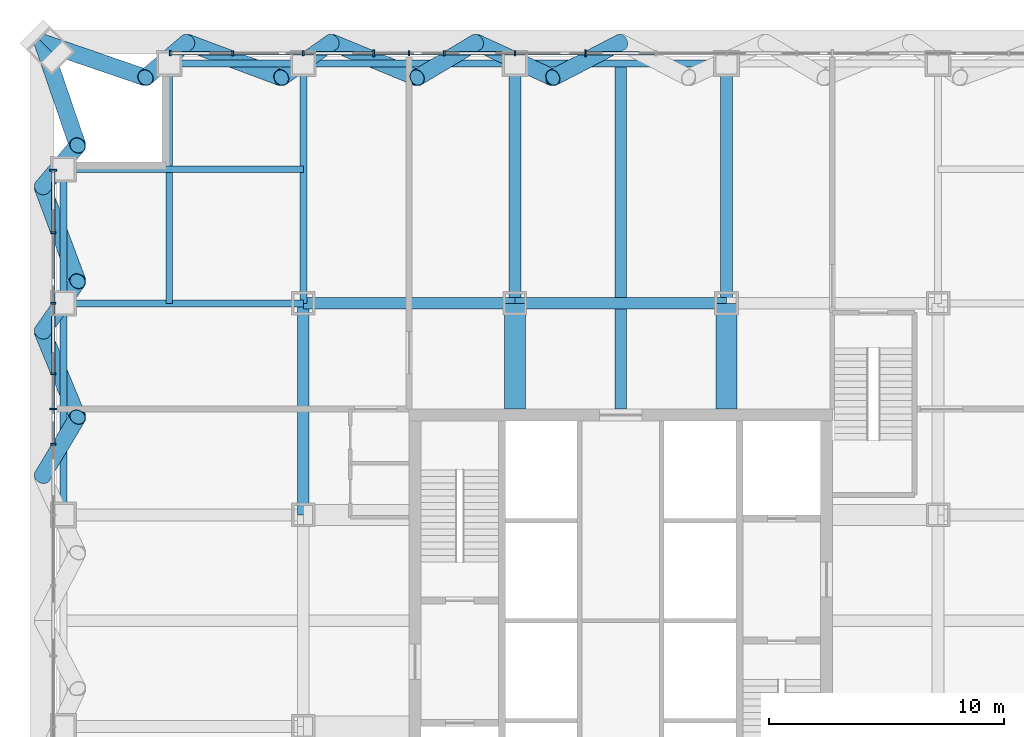
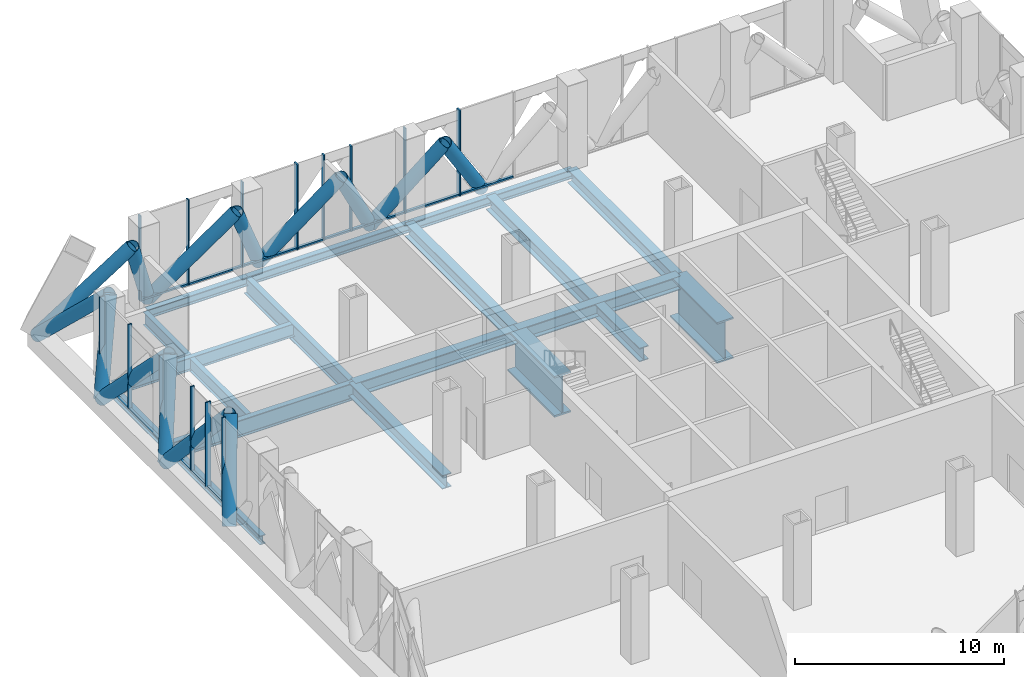
# One storey, part 10 of 29: 41 members, 17 beams, 2 elements without a shape of their own.
"""IFC4 building model written with IfcOpenShell, lengths in metres."""

from ifc_helpers import new_model, si_unit, direction, frame, origin, origin_2d, place, context, subcontext, project, spatial, rectangle, hollow_circle, i_section, extrude, material, layer, layer_set, material_profile, profile_set, type_object, element, aggregate, save


model = new_model("IFC4")

# Units and contexts
model_context = context("Model", 3, precision=1e-05, world=origin(), true_north=direction((0.0, 1.0)))
body_context = subcontext(model_context, "Body", "Model", "MODEL_VIEW")
ifc_project = project(units=[si_unit("LENGTHUNIT", "METRE"), si_unit("AREAUNIT", "SQUARE_METRE"), si_unit("VOLUMEUNIT", "CUBIC_METRE"), si_unit("PLANEANGLEUNIT", "RADIAN"), si_unit("MASSUNIT", "GRAM", prefix="KILO")], contexts=[model_context])

# Site, building, storey
site_placement = place(None, origin())
site = spatial("IfcSite", under=ifc_project, at=site_placement, CompositionType="ELEMENT")
building_placement = place(site_placement, origin())
building = spatial("IfcBuilding", under=site, at=building_placement, Name="Malebo Sky Hospital", CompositionType="ELEMENT")
storey_placement = place(building_placement, frame((0.0, 0.0, 172.0)))
storey = spatial("IfcBuildingStorey", under=building, at=storey_placement, Name="L41", CompositionType="ELEMENT", Elevation=172.0)

# Curtain wall, members
ifc_material_1 = material(Name="Anodised aluminium, natural silver", Category="aluminium")
ifc_layer = layer(ifc_material_1, 0.25)
ifc_layer_set = layer_set([ifc_layer], Name="PLANT LOUVRE SCREEN")
curtain_wall_type = type_object("IfcCurtainWallType", Name="PLANT LOUVRE SCREEN", PredefinedType="NOTDEFINED", material=ifc_layer_set)
curtain_wall_1_placement = place(storey_placement, origin())
curtain_wall_1 = element("IfcCurtainWall", 1, at=curtain_wall_1_placement, inside=storey, type_object=curtain_wall_type, Name="PLANT curtain wall N", PredefinedType="NOTDEFINED")
ifc_material_profile_1 = material_profile(ifc_material_1, rectangle(XDim=0.14990234375, YDim=0.10009765625, at=origin_2d()), Name="ALUMINIUM TRANSOM 150x100")
ifc_profile_set_1 = profile_set([ifc_material_profile_1], Name="Anodised aluminium, natural silver")
member_type_1 = type_object("IfcMemberType", Name="ALUMINIUM TRANSOM 150x100", PredefinedType="USERDEFINED", material=ifc_profile_set_1)
member_1_placement = place(storey_placement, frame((40.875, 86.135009765625, 0.050048828125), z_axis=(1.0, 0.0, 0.0), x_axis=(0.0, 1.0, 0.0)))
member_1 = element("IfcMember", 2, at=member_1_placement, type_object=member_type_1, Name="Transom 1", ObjectType="TRANSOM", PredefinedType="USERDEFINED", context=body_context, shape_type="SweptSolid", body=[
    extrude(rectangle(XDim=0.14990234375, YDim=0.10009765625, at=origin_2d()), origin(), (0.0, 0.0, 1.0), 2.58740234375),
])
member_2_placement = place(storey_placement, frame((43.53759765625, 86.135009765625, 0.050048828125), z_axis=(1.0, 0.0, 0.0), x_axis=(0.0, 1.0, 0.0)))
member_2 = element("IfcMember", 3, at=member_2_placement, type_object=member_type_1, Name="Transom 2", ObjectType="TRANSOM", PredefinedType="USERDEFINED", context=body_context, shape_type="SweptSolid", body=[
    extrude(rectangle(XDim=0.14990234375, YDim=0.10009765625, at=origin_2d()), origin(), (0.0, 0.0, 1.0), 2.9248046875),
])
member_3_placement = place(storey_placement, frame((46.53759765625, 86.135009765625, 0.050048828125), z_axis=(1.0, 0.0, 0.0), x_axis=(0.0, 1.0, 0.0)))
member_3 = element("IfcMember", 4, at=member_3_placement, type_object=member_type_1, Name="Transom 3", ObjectType="TRANSOM", PredefinedType="USERDEFINED", context=body_context, shape_type="SweptSolid", body=[
    extrude(rectangle(XDim=0.14990234375, YDim=0.10009765625, at=origin_2d()), origin(), (0.0, 0.0, 1.0), 2.9248046875),
])
member_4_placement = place(storey_placement, frame((49.53759765625, 86.135009765625, 0.050048828125), z_axis=(1.0, 0.0, 0.0), x_axis=(0.0, 1.0, 0.0)))
member_4 = element("IfcMember", 5, at=member_4_placement, type_object=member_type_1, Name="Transom 4", ObjectType="TRANSOM", PredefinedType="USERDEFINED", context=body_context, shape_type="SweptSolid", body=[
    extrude(rectangle(XDim=0.14990234375, YDim=0.10009765625, at=origin_2d()), origin(), (0.0, 0.0, 1.0), 1.4248046875),
])
member_5_placement = place(storey_placement, frame((51.03759765625, 86.135009765625, 0.050048828125), z_axis=(1.0, 0.0, 0.0), x_axis=(0.0, 1.0, 0.0)))
member_5 = element("IfcMember", 6, at=member_5_placement, type_object=member_type_1, Name="Transom 5", ObjectType="TRANSOM", PredefinedType="USERDEFINED", context=body_context, shape_type="SweptSolid", body=[
    extrude(rectangle(XDim=0.14990234375, YDim=0.10009765625, at=origin_2d()), origin(), (0.0, 0.0, 1.0), 1.4248046875),
])
member_6_placement = place(storey_placement, frame((52.53759765625, 86.135009765625, 0.050048828125), z_axis=(1.0, 0.0, 0.0), x_axis=(0.0, 1.0, 0.0)))
member_6 = element("IfcMember", 7, at=member_6_placement, type_object=member_type_1, Name="Transom 6", ObjectType="TRANSOM", PredefinedType="USERDEFINED", context=body_context, shape_type="SweptSolid", body=[
    extrude(rectangle(XDim=0.14990234375, YDim=0.10009765625, at=origin_2d()), origin(), (0.0, 0.0, 1.0), 2.9248046875),
])
member_7_placement = place(storey_placement, frame((55.53759765625, 86.135009765625, 0.050048828125), z_axis=(1.0, 0.0, 0.0), x_axis=(0.0, 1.0, 0.0)))
member_7 = element("IfcMember", 8, at=member_7_placement, type_object=member_type_1, Name="Transom 7", ObjectType="TRANSOM", PredefinedType="USERDEFINED", context=body_context, shape_type="SweptSolid", body=[
    extrude(rectangle(XDim=0.14990234375, YDim=0.10009765625, at=origin_2d()), origin(), (0.0, 0.0, 1.0), 2.9248046875),
])
member_8_placement = place(storey_placement, frame((58.53759765625, 86.135009765625, 0.050048828125), z_axis=(1.0, 0.0, 0.0), x_axis=(0.0, 1.0, 0.0)))
member_8 = element("IfcMember", 9, at=member_8_placement, type_object=member_type_1, Name="Transom 8", ObjectType="TRANSOM", PredefinedType="USERDEFINED", context=body_context, shape_type="SweptSolid", body=[
    extrude(rectangle(XDim=0.14990234375, YDim=0.10009765625, at=origin_2d()), origin(), (0.0, 0.0, 1.0), 2.9248046875),
])

curtain_wall_2_placement = place(storey_placement, origin())
curtain_wall_2 = element("IfcCurtainWall", 10, at=curtain_wall_2_placement, inside=storey, type_object=curtain_wall_type, Name="PLANT curtain wall W", PredefinedType="NOTDEFINED")
member_9_placement = place(storey_placement, frame((35.864990234375, 69.53759765625, 0.050048828125), z_axis=(0.0, 1.0, 0.0), x_axis=(-1.0, 0.0, 0.0)))
member_9 = element("IfcMember", 11, at=member_9_placement, type_object=member_type_1, Name="Transom 11", ObjectType="TRANSOM", PredefinedType="USERDEFINED", context=body_context, shape_type="SweptSolid", body=[
    extrude(rectangle(XDim=0.14990234375, YDim=0.10009765625, at=origin_2d()), origin(), (0.0, 0.0, 1.0), 1.4248046875),
])
member_10_placement = place(storey_placement, frame((35.864990234375, 71.03759765625, 0.050048828125), z_axis=(0.0, 1.0, 0.0), x_axis=(-1.0, 0.0, 0.0)))
member_10 = element("IfcMember", 12, at=member_10_placement, type_object=member_type_1, Name="Transom 12", ObjectType="TRANSOM", PredefinedType="USERDEFINED", context=body_context, shape_type="SweptSolid", body=[
    extrude(rectangle(XDim=0.14990234375, YDim=0.10009765625, at=origin_2d()), origin(), (0.0, 0.0, 1.0), 1.4248046875),
])
member_11_placement = place(storey_placement, frame((35.864990234375, 72.53759765625, 0.050048828125), z_axis=(0.0, 1.0, 0.0), x_axis=(-1.0, 0.0, 0.0)))
member_11 = element("IfcMember", 13, at=member_11_placement, type_object=member_type_1, Name="Transom 13", ObjectType="TRANSOM", PredefinedType="USERDEFINED", context=body_context, shape_type="SweptSolid", body=[
    extrude(rectangle(XDim=0.14990234375, YDim=0.10009765625, at=origin_2d()), origin(), (0.0, 0.0, 1.0), 2.9248046875),
])
member_12_placement = place(storey_placement, frame((35.864990234375, 75.53759765625, 0.050048828125), z_axis=(0.0, 1.0, 0.0), x_axis=(-1.0, 0.0, 0.0)))
member_12 = element("IfcMember", 14, at=member_12_placement, type_object=member_type_1, Name="Transom 14", ObjectType="TRANSOM", PredefinedType="USERDEFINED", context=body_context, shape_type="SweptSolid", body=[
    extrude(rectangle(XDim=0.14990234375, YDim=0.10009765625, at=origin_2d()), origin(), (0.0, 0.0, 1.0), 2.9248046875),
])
member_13_placement = place(storey_placement, frame((35.864990234375, 78.53759765625, 0.050048828125), z_axis=(0.0, 1.0, 0.0), x_axis=(-1.0, 0.0, 0.0)))
member_13 = element("IfcMember", 15, at=member_13_placement, type_object=member_type_1, Name="Transom 15", ObjectType="TRANSOM", PredefinedType="USERDEFINED", context=body_context, shape_type="SweptSolid", body=[
    extrude(rectangle(XDim=0.14990234375, YDim=0.10009765625, at=origin_2d()), origin(), (0.0, 0.0, 1.0), 2.58740234375),
])

# Members
ifc_material_2 = material(Name="Steel S460", Category="steel")
ifc_material_profile_2 = material_profile(ifc_material_2, hollow_circle(Radius=0.35546875, WallThickness=0.02490234375, at=origin_2d()), Name="CHS 711x25")
ifc_profile_set_2 = profile_set([ifc_material_profile_2], Name="Steel S460")
member_type_2 = type_object("IfcMemberType", Name="BELT TRUSS DIAGONAL CHS 711x25", PredefinedType="BRACE", material=ifc_profile_set_2)
member_14_placement = place(storey_placement, frame((60.0, 86.60009765625, -0.39990234375), z_axis=(-0.516208408429, -0.268164746883, 0.813398148262), x_axis=(0.460995967099, -0.887402230287, 0.0)))
element("IfcMember", 16, at=member_14_placement, inside=storey, type_object=member_type_2, Name="Belt truss diagonal N5.1 L41", PredefinedType="BRACE", context=body_context, shape_type="SweptSolid", body=[
    extrude(hollow_circle(Radius=0.35546875, WallThickness=0.02490234375, at=origin_2d()), origin(), (0.0, 0.0, 1.0), 5.593505859375),
])
member_15_placement = place(storey_placement, frame((57.112548828125, 85.10009765625, 4.14990234375), z_axis=(-0.562873957341, 0.258796497336, -0.78498234446), x_axis=(-0.417738372703, -0.908567362374, 0.0)))
element("IfcMember", 17, at=member_15_placement, inside=storey, type_object=member_type_2, Name="Belt truss diagonal N5.2 L41", PredefinedType="BRACE", context=body_context, shape_type="SweptSolid", body=[
    extrude(hollow_circle(Radius=0.35546875, WallThickness=0.02490234375, at=origin_2d()), origin(), (0.0, 0.0, 1.0), 5.796142578125),
])
member_16_placement = place(storey_placement, frame((53.85009765625, 86.60009765625, -0.39990234375), z_axis=(-0.464483521417, -0.277282039991, 0.841052750207), x_axis=(0.512580541453, -0.858639149191, 0.0)))
element("IfcMember", 18, at=member_16_placement, inside=storey, type_object=member_type_2, Name="Belt truss diagonal N6.1 L41", PredefinedType="BRACE", context=body_context, shape_type="SweptSolid", body=[
    extrude(hollow_circle(Radius=0.35546875, WallThickness=0.02490234375, at=origin_2d()), origin(), (0.0, 0.0, 1.0), 5.40966796875),
])
member_17_placement = place(storey_placement, frame((51.33740234375, 85.10009765625, 4.14990234375), z_axis=(-0.604717094337, 0.249371221398, -0.756393568029), x_axis=(-0.381233483965, -0.924478788672, 0.0)))
element("IfcMember", 19, at=member_17_placement, inside=storey, type_object=member_type_2, Name="Belt truss diagonal N6.2 L41", PredefinedType="BRACE", context=body_context, shape_type="SweptSolid", body=[
    extrude(hollow_circle(Radius=0.35546875, WallThickness=0.02490234375, at=origin_2d()), origin(), (0.0, 0.0, 1.0), 6.01513671875),
])
member_18_placement = place(storey_placement, frame((47.699951171875, 86.60009765625, -0.39990234375), z_axis=(-0.407452101972, -0.285937831469, 0.867307523969), x_axis=(0.574434541353, -0.818550522387, 0.0)))
element("IfcMember", 20, at=member_18_placement, inside=storey, type_object=member_type_2, Name="Belt truss diagonal N7.1 L41", PredefinedType="BRACE", context=body_context, shape_type="SweptSolid", body=[
    extrude(hollow_circle(Radius=0.35546875, WallThickness=0.02490234375, at=origin_2d()), origin(), (0.0, 0.0, 1.0), 5.245849609375),
])
member_19_placement = place(storey_placement, frame((45.5625, 85.10009765625, 4.14990234375), z_axis=(-0.642090926271, 0.240036912139, -0.728080712017), x_axis=(-0.350167642828, -0.936687045878, 0.0)))
element("IfcMember", 21, at=member_19_placement, inside=storey, type_object=member_type_2, Name="Belt truss diagonal N7.2 L41", PredefinedType="BRACE", context=body_context, shape_type="SweptSolid", body=[
    extrude(hollow_circle(Radius=0.35546875, WallThickness=0.02490234375, at=origin_2d()), origin(), (0.0, 0.0, 1.0), 6.2490234375),
])
member_20_placement = place(storey_placement, frame((41.550048828125, 86.60009765625, -0.39990234375), z_axis=(-0.345267139836, -0.29385251519, 0.891314367362), x_axis=(0.648129042738, -0.761530527267, 0.0)))
element("IfcMember", 22, at=member_20_placement, inside=storey, type_object=member_type_2, Name="Belt truss diagonal N8.1 L41", PredefinedType="BRACE", context=body_context, shape_type="SweptSolid", body=[
    extrude(hollow_circle(Radius=0.35546875, WallThickness=0.02490234375, at=origin_2d()), origin(), (0.0, 0.0, 1.0), 5.1044921875),
])
for number, where, z_axis, x_axis, name in (
    (23, (39.78759765625, 85.10009765625, 4.14990234375), (-0.675409080109, 0.230898808602, -0.700362987809), (-0.323484250944, -0.946233554357, 0.0), "Belt truss diagonal N8.2 L41"),
    (24, (35.39990234375, 86.60009765625, -0.39990234375), (0.230898808602, -0.675409080109, 0.700362987809), (0.946233554357, 0.323484250944, 0.0), "Belt truss diagonal W1.1 L41"),
):
    element("IfcMember", number, at=place(storey_placement, frame(where, z_axis=z_axis, x_axis=x_axis)), inside=storey, type_object=member_type_2, Name=name, PredefinedType="BRACE", context=body_context, shape_type="SweptSolid", body=[
        extrude(hollow_circle(Radius=0.35546875, WallThickness=0.02490234375, at=origin_2d()), origin(), (0.0, 0.0, 1.0), 6.496337890625),
    ])
member_21_placement = place(storey_placement, frame((36.89990234375, 82.21240234375, 4.14990234375), z_axis=(-0.29385251519, -0.345267139836, -0.891314367362), x_axis=(0.761530527267, -0.648129042738, 0.0)))
element("IfcMember", 25, at=member_21_placement, inside=storey, type_object=member_type_2, Name="Belt truss diagonal W1.2 L41", PredefinedType="BRACE", context=body_context, shape_type="SweptSolid", body=[
    extrude(hollow_circle(Radius=0.35546875, WallThickness=0.02490234375, at=origin_2d()), origin(), (0.0, 0.0, 1.0), 5.1044921875),
])
member_22_placement = place(storey_placement, frame((35.39990234375, 80.449951171875, -0.39990234375), z_axis=(0.240036912139, -0.642090926271, 0.728080712017), x_axis=(0.936687045878, 0.350167642828, 0.0)))
element("IfcMember", 26, at=member_22_placement, inside=storey, type_object=member_type_2, Name="Belt truss diagonal W2.1 L41", PredefinedType="BRACE", context=body_context, shape_type="SweptSolid", body=[
    extrude(hollow_circle(Radius=0.35546875, WallThickness=0.02490234375, at=origin_2d()), origin(), (0.0, 0.0, 1.0), 6.2490234375),
])
member_23_placement = place(storey_placement, frame((36.89990234375, 76.4375, 4.14990234375), z_axis=(-0.285937831469, -0.407452101972, -0.867307523969), x_axis=(0.818550522387, -0.574434541353, 0.0)))
element("IfcMember", 27, at=member_23_placement, inside=storey, type_object=member_type_2, Name="Belt truss diagonal W2.2 L41", PredefinedType="BRACE", context=body_context, shape_type="SweptSolid", body=[
    extrude(hollow_circle(Radius=0.35546875, WallThickness=0.02490234375, at=origin_2d()), origin(), (0.0, 0.0, 1.0), 5.245849609375),
])
member_24_placement = place(storey_placement, frame((35.39990234375, 74.300048828125, -0.39990234375), z_axis=(0.249371221398, -0.604717094337, 0.756393568029), x_axis=(0.924478788672, 0.381233483965, 0.0)))
element("IfcMember", 28, at=member_24_placement, inside=storey, type_object=member_type_2, Name="Belt truss diagonal W3.1 L41", PredefinedType="BRACE", context=body_context, shape_type="SweptSolid", body=[
    extrude(hollow_circle(Radius=0.35546875, WallThickness=0.02490234375, at=origin_2d()), origin(), (0.0, 0.0, 1.0), 6.01513671875),
])
member_25_placement = place(storey_placement, frame((36.89990234375, 70.66259765625, 4.14990234375), z_axis=(-0.277282039991, -0.464483521417, -0.841052750207), x_axis=(0.858639149191, -0.512580541453, 0.0)))
element("IfcMember", 29, at=member_25_placement, inside=storey, type_object=member_type_2, Name="Belt truss diagonal W3.2 L41", PredefinedType="BRACE", context=body_context, shape_type="SweptSolid", body=[
    extrude(hollow_circle(Radius=0.35546875, WallThickness=0.02490234375, at=origin_2d()), origin(), (0.0, 0.0, 1.0), 5.40966796875),
])

# Member
ifc_material_profile_3 = material_profile(ifc_material_1, rectangle(XDim=0.074951171875, YDim=0.199951171875, at=origin_2d()), Name="CW5 ALUMINIUM FIN MULLION 75x200")
ifc_profile_set_3 = profile_set([ifc_material_profile_3], Name="Anodised aluminium, natural silver")
member_type_3 = type_object("IfcMemberType", Name="CW5 ALUMINIUM FIN MULLION 75x200", PredefinedType="MULLION", material=ifc_profile_set_3)
member_26_placement = place(storey_placement, frame((40.83740234375, 86.135009765625, 0.0), z_axis=(0.0, 0.0, 1.0), x_axis=(1.0, 0.0, 0.0)))
member_26 = element("IfcMember", 30, at=member_26_placement, type_object=member_type_3, Name="Fin mullion 1", PredefinedType="MULLION", context=body_context, shape_type="SweptSolid", body=[
    extrude(rectangle(XDim=0.074951171875, YDim=0.199951171875, at=origin_2d()), origin(), (0.0, 0.0, 1.0), 5.0),
])

member_27_placement = place(storey_placement, frame((43.5, 86.135009765625, 0.0), z_axis=(0.0, 0.0, 1.0), x_axis=(1.0, 0.0, 0.0)))
member_27 = element("IfcMember", 31, at=member_27_placement, type_object=member_type_3, Name="Fin mullion 2", PredefinedType="MULLION", context=body_context, shape_type="SweptSolid", body=[
    extrude(rectangle(XDim=0.074951171875, YDim=0.199951171875, at=origin_2d()), origin(), (0.0, 0.0, 1.0), 5.0),
])

member_28_placement = place(storey_placement, frame((46.5, 86.135009765625, 0.0), z_axis=(0.0, 0.0, 1.0), x_axis=(1.0, 0.0, 0.0)))
member_28 = element("IfcMember", 32, at=member_28_placement, type_object=member_type_3, Name="Fin mullion 3", PredefinedType="MULLION", context=body_context, shape_type="SweptSolid", body=[
    extrude(rectangle(XDim=0.074951171875, YDim=0.199951171875, at=origin_2d()), origin(), (0.0, 0.0, 1.0), 5.0),
])

member_29_placement = place(storey_placement, frame((51.0, 86.135009765625, 0.0), z_axis=(0.0, 0.0, 1.0), x_axis=(1.0, 0.0, 0.0)))
member_29 = element("IfcMember", 33, at=member_29_placement, type_object=member_type_3, Name="Fin mullion 5", PredefinedType="MULLION", context=body_context, shape_type="SweptSolid", body=[
    extrude(rectangle(XDim=0.074951171875, YDim=0.199951171875, at=origin_2d()), origin(), (0.0, 0.0, 1.0), 5.0),
])

member_30_placement = place(storey_placement, frame((52.5, 86.135009765625, 0.0), z_axis=(0.0, 0.0, 1.0), x_axis=(1.0, 0.0, 0.0)))
member_30 = element("IfcMember", 34, at=member_30_placement, type_object=member_type_3, Name="Fin mullion 6", PredefinedType="MULLION", context=body_context, shape_type="SweptSolid", body=[
    extrude(rectangle(XDim=0.074951171875, YDim=0.199951171875, at=origin_2d()), origin(), (0.0, 0.0, 1.0), 5.0),
])

member_31_placement = place(storey_placement, frame((55.5, 86.135009765625, 0.0), z_axis=(0.0, 0.0, 1.0), x_axis=(1.0, 0.0, 0.0)))
member_31 = element("IfcMember", 35, at=member_31_placement, type_object=member_type_3, Name="Fin mullion 7", PredefinedType="MULLION", context=body_context, shape_type="SweptSolid", body=[
    extrude(rectangle(XDim=0.074951171875, YDim=0.199951171875, at=origin_2d()), origin(), (0.0, 0.0, 1.0), 5.0),
])

member_32_placement = place(storey_placement, frame((35.864990234375, 69.5, 0.0), z_axis=(0.0, 0.0, 1.0), x_axis=(0.0, 1.0, 0.0)))
member_32 = element("IfcMember", 36, at=member_32_placement, type_object=member_type_3, Name="Fin mullion 11", PredefinedType="MULLION", context=body_context, shape_type="SweptSolid", body=[
    extrude(rectangle(XDim=0.074951171875, YDim=0.199951171875, at=origin_2d()), origin(), (0.0, 0.0, 1.0), 5.0),
])

member_33_placement = place(storey_placement, frame((35.864990234375, 72.5, 0.0), z_axis=(0.0, 0.0, 1.0), x_axis=(0.0, 1.0, 0.0)))
member_33 = element("IfcMember", 37, at=member_33_placement, type_object=member_type_3, Name="Fin mullion 13", PredefinedType="MULLION", context=body_context, shape_type="SweptSolid", body=[
    extrude(rectangle(XDim=0.074951171875, YDim=0.199951171875, at=origin_2d()), origin(), (0.0, 0.0, 1.0), 5.0),
])

member_34_placement = place(storey_placement, frame((35.864990234375, 75.5, 0.0), z_axis=(0.0, 0.0, 1.0), x_axis=(0.0, 1.0, 0.0)))
member_34 = element("IfcMember", 38, at=member_34_placement, type_object=member_type_3, Name="Fin mullion 14", PredefinedType="MULLION", context=body_context, shape_type="SweptSolid", body=[
    extrude(rectangle(XDim=0.074951171875, YDim=0.199951171875, at=origin_2d()), origin(), (0.0, 0.0, 1.0), 5.0),
])

member_35_placement = place(storey_placement, frame((35.864990234375, 78.5, 0.0), z_axis=(0.0, 0.0, 1.0), x_axis=(0.0, 1.0, 0.0)))
member_35 = element("IfcMember", 39, at=member_35_placement, type_object=member_type_3, Name="Fin mullion 15", PredefinedType="MULLION", context=body_context, shape_type="SweptSolid", body=[
    extrude(rectangle(XDim=0.074951171875, YDim=0.199951171875, at=origin_2d()), origin(), (0.0, 0.0, 1.0), 5.0),
])

ifc_material_profile_4 = material_profile(ifc_material_1, rectangle(XDim=0.074951171875, YDim=0.300048828125, at=origin_2d()), Name="CW5 ALUMINIUM FIN MULLION 75x300")
ifc_profile_set_4 = profile_set([ifc_material_profile_4], Name="Anodised aluminium, natural silver")
member_type_4 = type_object("IfcMemberType", Name="CW5 ALUMINIUM FIN MULLION 75x300", PredefinedType="MULLION", material=ifc_profile_set_4)
member_36_placement = place(storey_placement, frame((49.5, 86.135009765625, 0.0), z_axis=(0.0, 0.0, 1.0), x_axis=(1.0, 0.0, 0.0)))
member_36 = element("IfcMember", 40, at=member_36_placement, type_object=member_type_4, Name="Fin mullion 4", PredefinedType="MULLION", context=body_context, shape_type="SweptSolid", body=[
    extrude(rectangle(XDim=0.074951171875, YDim=0.300048828125, at=origin_2d()), origin(), (0.0, 0.0, 1.0), 5.0),
])

member_37_placement = place(storey_placement, frame((58.5, 86.135009765625, 0.0), z_axis=(0.0, 0.0, 1.0), x_axis=(1.0, 0.0, 0.0)))
member_37 = element("IfcMember", 41, at=member_37_placement, type_object=member_type_4, Name="Fin mullion 8", PredefinedType="MULLION", context=body_context, shape_type="SweptSolid", body=[
    extrude(rectangle(XDim=0.074951171875, YDim=0.300048828125, at=origin_2d()), origin(), (0.0, 0.0, 1.0), 5.0),
])

aggregate(curtain_wall_1, [member_26, member_27, member_28, member_36, member_29, member_30, member_31, member_37, member_1, member_2, member_3, member_4, member_5, member_6, member_7, member_8])

member_38_placement = place(storey_placement, frame((35.864990234375, 71.0, 0.0), z_axis=(0.0, 0.0, 1.0), x_axis=(0.0, 1.0, 0.0)))
member_38 = element("IfcMember", 42, at=member_38_placement, type_object=member_type_4, Name="Fin mullion 12", PredefinedType="MULLION", context=body_context, shape_type="SweptSolid", body=[
    extrude(rectangle(XDim=0.074951171875, YDim=0.300048828125, at=origin_2d()), origin(), (0.0, 0.0, 1.0), 5.0),
])

member_39_placement = place(storey_placement, frame((35.864990234375, 81.16259765625, 0.0), z_axis=(0.0, 0.0, 1.0), x_axis=(0.0, 1.0, 0.0)))
member_39 = element("IfcMember", 43, at=member_39_placement, type_object=member_type_4, Name="Fin mullion 16", PredefinedType="MULLION", context=body_context, shape_type="SweptSolid", body=[
    extrude(rectangle(XDim=0.074951171875, YDim=0.300048828125, at=origin_2d()), origin(), (0.0, 0.0, 1.0), 5.0),
])

aggregate(curtain_wall_2, [member_32, member_38, member_33, member_34, member_35, member_39, member_9, member_10, member_11, member_12, member_13])

# Beams
ifc_material_3 = material(Name="Steel S355", Category="steel")
ifc_material_profile_5 = material_profile(ifc_material_3, i_section(OverallWidth=0.305908203125, OverallDepth=0.52392578125, WebThickness=0.02099609375, FlangeThickness=0.0400390625, FilletRadius=0.027099609375, at=origin_2d()), Name="HEM 500")
ifc_profile_set_5 = profile_set([ifc_material_profile_5], Name="Steel S355")
beam_type_1 = type_object("IfcBeamType", Name="EDGE BEAM HEM 500", PredefinedType="BEAM", material=ifc_profile_set_5)
beam_1_placement = place(storey_placement, frame((36.300048828125, 66.5, -0.511962890625), z_axis=(0.0, 1.0, 0.0), x_axis=(-1.0, 0.0, 0.0)))
element("IfcBeam", 44, at=beam_1_placement, inside=storey, type_object=beam_type_1, Name="Beam 003 L41", PredefinedType="BEAM", context=body_context, shape_type="SweptSolid", body=[
    extrude(i_section(OverallWidth=0.305908203125, OverallDepth=0.52392578125, WebThickness=0.02099609375, FlangeThickness=0.0400390625, FilletRadius=0.027099609375, at=origin_2d()), origin(), (0.0, 0.0, 1.0), 9.0),
])
for number, where, z_axis, x_axis, name in (
    (45, (36.300048828125, 75.5, -0.511962890625), (0.0, 1.0, 0.0), (-1.0, 0.0, 0.0), "Beam 004 L41"),
    (46, (40.949951171875, 85.699951171875, -0.511962890625), (1.0, 0.0, 0.0), (0.0, 1.0, 0.0), "Beam 063 L41"),
):
    element("IfcBeam", number, at=place(storey_placement, frame(where, z_axis=z_axis, x_axis=x_axis)), inside=storey, type_object=beam_type_1, Name=name, PredefinedType="BEAM", context=body_context, shape_type="SweptSolid", body=[
        extrude(i_section(OverallWidth=0.305908203125, OverallDepth=0.52392578125, WebThickness=0.02099609375, FlangeThickness=0.0400390625, FilletRadius=0.027099609375, at=origin_2d()), origin(), (0.0, 0.0, 1.0), 5.550048828125),
    ])
for number, where, z_axis, x_axis, name in (
    (47, (46.5, 85.699951171875, -0.511962890625), (1.0, 0.0, 0.0), (0.0, 1.0, 0.0), "Beam 064 L41"),
    (48, (55.5, 85.699951171875, -0.511962890625), (1.0, 0.0, 0.0), (0.0, 1.0, 0.0), "Beam 065 L41"),
):
    element("IfcBeam", number, at=place(storey_placement, frame(where, z_axis=z_axis, x_axis=x_axis)), inside=storey, type_object=beam_type_1, Name=name, PredefinedType="BEAM", context=body_context, shape_type="SweptSolid", body=[
        extrude(i_section(OverallWidth=0.305908203125, OverallDepth=0.52392578125, WebThickness=0.02099609375, FlangeThickness=0.0400390625, FilletRadius=0.027099609375, at=origin_2d()), origin(), (0.0, 0.0, 1.0), 9.0),
    ])
ifc_material_profile_6 = material_profile(ifc_material_3, i_section(OverallWidth=0.26708984375, OverallDepth=0.761962890625, WebThickness=0.014404296875, FlangeThickness=0.021484375, FilletRadius=0.01708984375, at=origin_2d()), Name="IPE 750x173")
ifc_profile_set_6 = profile_set([ifc_material_profile_6], Name="Steel S355")
beam_type_2 = type_object("IfcBeamType", Name="FLOOR BEAM IPE 750x173", PredefinedType="BEAM", material=ifc_profile_set_6)
for number, where, z_axis, x_axis, name in (
    (49, (40.800048828125, 75.5, -0.631103515625), (0.0, 1.0, 0.0), (-1.0, 0.0, 0.0), "Beam 006 L41"),
    (50, (36.449951171875, 81.199951171875, -0.631103515625), (1.0, 0.0, 0.0), (0.0, 1.0, 0.0), "Beam 061 L41"),
):
    element("IfcBeam", number, at=place(storey_placement, frame(where, z_axis=z_axis, x_axis=x_axis)), inside=storey, type_object=beam_type_2, Name=name, PredefinedType="BEAM", context=body_context, shape_type="SweptSolid", body=[
        extrude(i_section(OverallWidth=0.26708984375, OverallDepth=0.761962890625, WebThickness=0.014404296875, FlangeThickness=0.021484375, FilletRadius=0.01708984375, at=origin_2d()), origin(), (0.0, 0.0, 1.0), 10.050048828125),
    ])
ifc_material_profile_7 = material_profile(ifc_material_3, i_section(OverallWidth=0.89990234375, OverallDepth=2.39990234375, WebThickness=0.050048828125, FlangeThickness=0.10009765625, at=origin_2d()), Name="PG 2400x900x50x100")
ifc_profile_set_7 = profile_set([ifc_material_profile_7], Name="Steel S355")
beam_type_3 = type_object("IfcBeamType", Name="FLOOR BEAM PG 2400x900x50x100", PredefinedType="BEAM", material=ifc_profile_set_7)
for number, where, z_axis, x_axis, name in (
    (51, (55.5, 71.0, -1.449951171875), (0.0, 1.0, 0.0), (-1.0, 0.0, 0.0), "Beam 014 L41"),
    (52, (64.5, 71.0, -1.449951171875), (0.0, 1.0, 0.0), (-1.0, 0.0, 0.0), "Beam 020 L41"),
):
    element("IfcBeam", number, at=place(storey_placement, frame(where, z_axis=z_axis, x_axis=x_axis)), inside=storey, type_object=beam_type_3, Name=name, PredefinedType="BEAM", context=body_context, shape_type="SweptSolid", body=[
        extrude(i_section(OverallWidth=0.89990234375, OverallDepth=2.39990234375, WebThickness=0.050048828125, FlangeThickness=0.10009765625, at=origin_2d()), origin(), (0.0, 0.0, 1.0), 4.5),
    ])
ifc_material_profile_8 = material_profile(ifc_material_3, i_section(OverallWidth=0.5, OverallDepth=0.800048828125, WebThickness=0.030029296875, FlangeThickness=0.050048828125, at=origin_2d()), Name="PG 800x500x30x50")
ifc_profile_set_8 = profile_set([ifc_material_profile_8], Name="Steel S355")
beam_type_4 = type_object("IfcBeamType", Name="FLOOR BEAM PG 800x500x30x50", PredefinedType="BEAM", material=ifc_profile_set_8)
beam_2_placement = place(storey_placement, frame((46.5, 66.5, -0.64990234375), z_axis=(0.0, 1.0, 0.0), x_axis=(-1.0, 0.0, 0.0)))
element("IfcBeam", 53, at=beam_2_placement, inside=storey, type_object=beam_type_4, Name="Beam 010 L41", PredefinedType="BEAM", context=body_context, shape_type="SweptSolid", body=[
    extrude(i_section(OverallWidth=0.5, OverallDepth=0.800048828125, WebThickness=0.030029296875, FlangeThickness=0.050048828125, at=origin_2d()), origin(), (0.0, 0.0, 1.0), 9.0),
])
beam_3_placement = place(storey_placement, frame((55.5, 75.5, -0.64990234375), z_axis=(0.0, 1.0, 0.0), x_axis=(-1.0, 0.0, 0.0)))
element("IfcBeam", 54, at=beam_3_placement, inside=storey, type_object=beam_type_4, Name="Beam 015 L41", PredefinedType="BEAM", context=body_context, shape_type="SweptSolid", body=[
    extrude(i_section(OverallWidth=0.5, OverallDepth=0.800048828125, WebThickness=0.030029296875, FlangeThickness=0.050048828125, at=origin_2d()), origin(), (0.0, 0.0, 1.0), 10.199951171875),
])
beam_4_placement = place(storey_placement, frame((60.0, 71.0, -0.64990234375), z_axis=(0.0, 1.0, 0.0), x_axis=(-1.0, 0.0, 0.0)))
element("IfcBeam", 55, at=beam_4_placement, inside=storey, type_object=beam_type_4, Name="Beam 017 L41", PredefinedType="BEAM", context=body_context, shape_type="SweptSolid", body=[
    extrude(i_section(OverallWidth=0.5, OverallDepth=0.800048828125, WebThickness=0.030029296875, FlangeThickness=0.050048828125, at=origin_2d()), origin(), (0.0, 0.0, 1.0), 14.699951171875),
])
beam_5_placement = place(storey_placement, frame((64.5, 75.5, -0.64990234375), z_axis=(0.0, 1.0, 0.0), x_axis=(-1.0, 0.0, 0.0)))
element("IfcBeam", 56, at=beam_5_placement, inside=storey, type_object=beam_type_4, Name="Beam 021 L41", PredefinedType="BEAM", context=body_context, shape_type="SweptSolid", body=[
    extrude(i_section(OverallWidth=0.5, OverallDepth=0.800048828125, WebThickness=0.030029296875, FlangeThickness=0.050048828125, at=origin_2d()), origin(), (0.0, 0.0, 1.0), 10.199951171875),
])
beam_6_placement = place(storey_placement, frame((46.5, 75.5, -0.64990234375), z_axis=(1.0, 0.0, 0.0), x_axis=(0.0, 1.0, 0.0)))
element("IfcBeam", 57, at=beam_6_placement, inside=storey, type_object=beam_type_4, Name="Beam 057 L41", PredefinedType="BEAM", context=body_context, shape_type="SweptSolid", body=[
    extrude(i_section(OverallWidth=0.5, OverallDepth=0.800048828125, WebThickness=0.030029296875, FlangeThickness=0.050048828125, at=origin_2d()), origin(), (0.0, 0.0, 1.0), 9.0),
])
ifc_material_profile_9 = material_profile(ifc_material_3, i_section(OverallWidth=0.300048828125, OverallDepth=1.0, WebThickness=0.01904296875, FlangeThickness=0.035888671875, FilletRadius=0.030029296875, at=origin_2d()), Name="HEB 1000")
ifc_profile_set_9 = profile_set([ifc_material_profile_9], Name="Steel S355")
beam_type_5 = type_object("IfcBeamType", Name="FLOOR GIRDER HEB 1000", PredefinedType="BEAM", material=ifc_profile_set_9)
for number, where, z_axis, x_axis, name in (
    (58, (46.5, 75.5, -0.75), (0.0, 1.0, 0.0), (-1.0, 0.0, 0.0), "Beam 011 L41"),
    (59, (36.300048828125, 75.5, -0.75), (1.0, 0.0, 0.0), (0.0, 1.0, 0.0), "Beam 056 L41"),
):
    element("IfcBeam", number, at=place(storey_placement, frame(where, z_axis=z_axis, x_axis=x_axis)), inside=storey, type_object=beam_type_5, Name=name, PredefinedType="BEAM", context=body_context, shape_type="SweptSolid", body=[
        extrude(i_section(OverallWidth=0.300048828125, OverallDepth=1.0, WebThickness=0.01904296875, FlangeThickness=0.035888671875, FilletRadius=0.030029296875, at=origin_2d()), origin(), (0.0, 0.0, 1.0), 10.199951171875),
    ])
ifc_material_profile_10 = material_profile(ifc_material_3, i_section(OverallWidth=0.5, OverallDepth=0.800048828125, WebThickness=0.030029296875, FlangeThickness=0.050048828125, at=origin_2d()), Name="PG 800x500x30x50")
ifc_profile_set_10 = profile_set([ifc_material_profile_10], Name="Steel S355")
beam_type_6 = type_object("IfcBeamType", Name="RING GIRDER PG 800x500x30x50", PredefinedType="BEAM", material=ifc_profile_set_10)
beam_7_placement = place(storey_placement, frame((55.5, 75.5, -0.64990234375), z_axis=(1.0, 0.0, 0.0), x_axis=(0.0, 1.0, 0.0)))
element("IfcBeam", 60, at=beam_7_placement, inside=storey, type_object=beam_type_6, Name="Beam 058 L41", PredefinedType="BEAM", context=body_context, shape_type="SweptSolid", body=[
    extrude(i_section(OverallWidth=0.5, OverallDepth=0.800048828125, WebThickness=0.030029296875, FlangeThickness=0.050048828125, at=origin_2d()), origin(), (0.0, 0.0, 1.0), 9.0),
])

save(model, "model.ifc")
